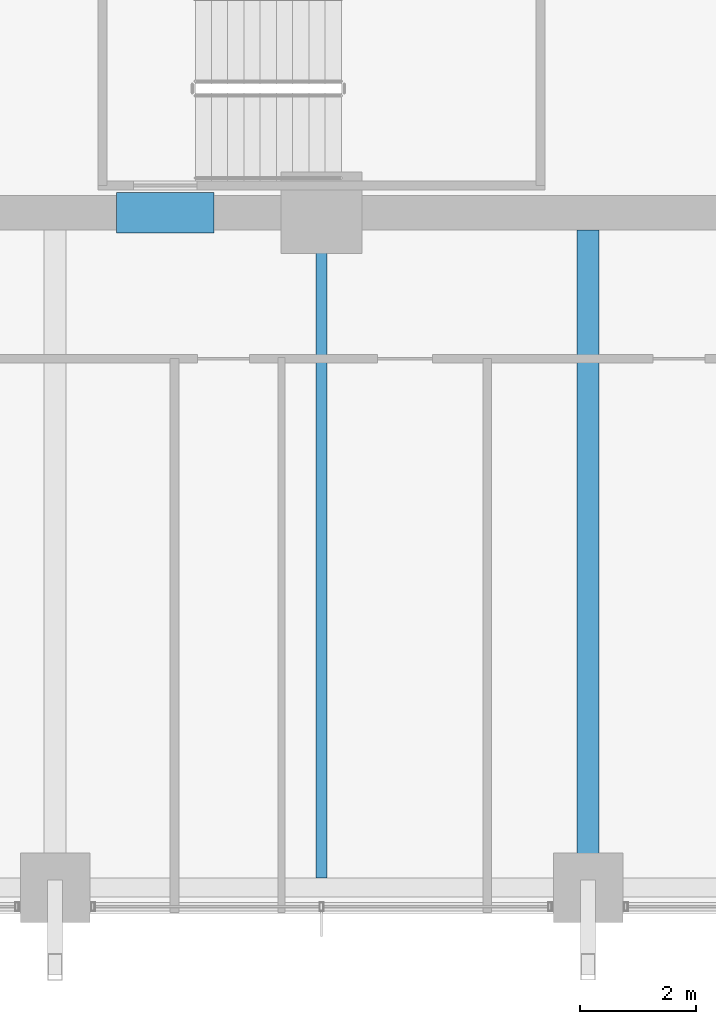
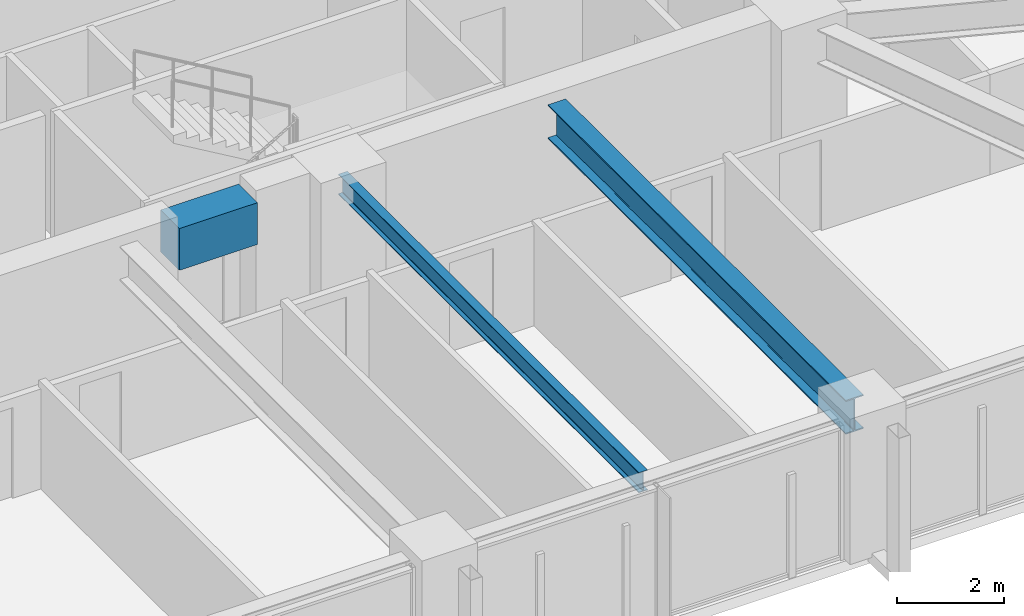
# One storey, part 7 of 38: 3 beams.
"""IFC4 building model written with IfcOpenShell, lengths in metres."""

from ifc_helpers import new_model, si_unit, direction, frame, origin, origin_2d, place, context, subcontext, project, spatial, rectangle, i_section, extrude, material, material_profile, profile_set, type_object, element, save


model = new_model("IFC4")

# Units and contexts
model_context = context("Model", 3, precision=1e-05, world=origin(), true_north=direction((0.0, 1.0)))
body_context = subcontext(model_context, "Body", "Model", "MODEL_VIEW")
ifc_project = project(units=[si_unit("LENGTHUNIT", "METRE"), si_unit("AREAUNIT", "SQUARE_METRE"), si_unit("VOLUMEUNIT", "CUBIC_METRE"), si_unit("PLANEANGLEUNIT", "RADIAN"), si_unit("MASSUNIT", "GRAM", prefix="KILO")], contexts=[model_context])

# Site, building, storey
site_placement = place(None, origin())
site = spatial("IfcSite", under=ifc_project, at=site_placement, CompositionType="ELEMENT")
building_placement = place(site_placement, origin())
building = spatial("IfcBuilding", under=site, at=building_placement, Name="Kolvaren Belvedere", CompositionType="ELEMENT")
storey_placement = place(building_placement, frame((0.0, 0.0, 53.5)))
storey = spatial("IfcBuildingStorey", under=building, at=storey_placement, Name="L15", CompositionType="ELEMENT", Elevation=53.5)

# Beams
ifc_material_1 = material(Name="Structural steel ASTM A992 Grade 50", Category="steel")
ifc_material_profile_1 = material_profile(ifc_material_1, i_section(OverallWidth=0.381103515625, OverallDepth=0.77294921875, WebThickness=0.0166015625, FlangeThickness=0.027099609375, FilletRadius=0.02392578125, at=origin_2d()), Name="W30X173")
ifc_profile_set_1 = profile_set([ifc_material_profile_1], Name="Structural steel ASTM A992 Grade 50")
beam_type_1 = type_object("IfcBeamType", Name="BM-GIRD-W30X173", PredefinedType="BEAM", material=ifc_profile_set_1)
beam_1_placement = place(storey_placement, frame((4.60009765625, -10.199951171875, 2.673583984375), z_axis=(0.0, -1.0, 0.0), x_axis=(1.0, 0.0, 0.0)))
element("IfcBeam", 1, at=beam_1_placement, inside=storey, type_object=beam_type_1, Name="L15 South Radial Girder P", PredefinedType="BEAM", context=body_context, shape_type="SweptSolid", body=[
    extrude(i_section(OverallWidth=0.381103515625, OverallDepth=0.77294921875, WebThickness=0.0166015625, FlangeThickness=0.027099609375, FilletRadius=0.02392578125, at=origin_2d()), origin(), (0.0, 0.0, 1.0), 11.080078125),
])
ifc_material_2 = material(Name="Structural steel ASTM A992 Grade 50", Category="steel")
ifc_material_profile_2 = material_profile(ifc_material_2, i_section(OverallWidth=0.19091796875, OverallDepth=0.4599609375, WebThickness=0.010009765625, FlangeThickness=0.01611328125, FilletRadius=0.014892578125, at=origin_2d()), Name="W18X55")
ifc_profile_set_2 = profile_set([ifc_material_profile_2], Name="Structural steel ASTM A992 Grade 50")
beam_type_2 = type_object("IfcBeamType", Name="BM-JOIST-W18X55", PredefinedType="BEAM", material=ifc_profile_set_2)
beam_2_placement = place(storey_placement, frame((0.0, -10.199951171875, 2.830078125), z_axis=(0.0, -1.0, 0.0), x_axis=(1.0, 0.0, 0.0)))
element("IfcBeam", 2, at=beam_2_placement, inside=storey, type_object=beam_type_2, Name="L15 South Centre Floor Beam", PredefinedType="BEAM", context=body_context, shape_type="SweptSolid", body=[
    extrude(i_section(OverallWidth=0.19091796875, OverallDepth=0.4599609375, WebThickness=0.010009765625, FlangeThickness=0.01611328125, FilletRadius=0.014892578125, at=origin_2d()), origin(), (0.0, 0.0, 1.0), 11.1875),
])
ifc_material_3 = material(Name="Concrete C60/75", Category="concrete")
ifc_material_profile_3 = material_profile(ifc_material_3, rectangle(XDim=0.699951171875, YDim=0.949951171875, at=origin_2d()), Name="RC 700X950")
ifc_profile_set_3 = profile_set([ifc_material_profile_3], Name="Concrete C60/75")
beam_type_3 = type_object("IfcBeamType", Name="BM-LINT-950", PredefinedType="LINTEL", material=ifc_profile_set_3)
beam_3_placement = place(storey_placement, frame((-3.5400390625, -9.89990234375, 2.5849609375), z_axis=(1.0, 0.0, 0.0), x_axis=(0.0, 1.0, 0.0)))
element("IfcBeam", 3, at=beam_3_placement, inside=storey, type_object=beam_type_3, Name="L15 South Core Coupling Lintel", PredefinedType="LINTEL", context=body_context, shape_type="SweptSolid", body=[
    extrude(rectangle(XDim=0.699951171875, YDim=0.949951171875, at=origin_2d()), origin(), (0.0, 0.0, 1.0), 1.679931640625),
])

save(model, "model.ifc")
